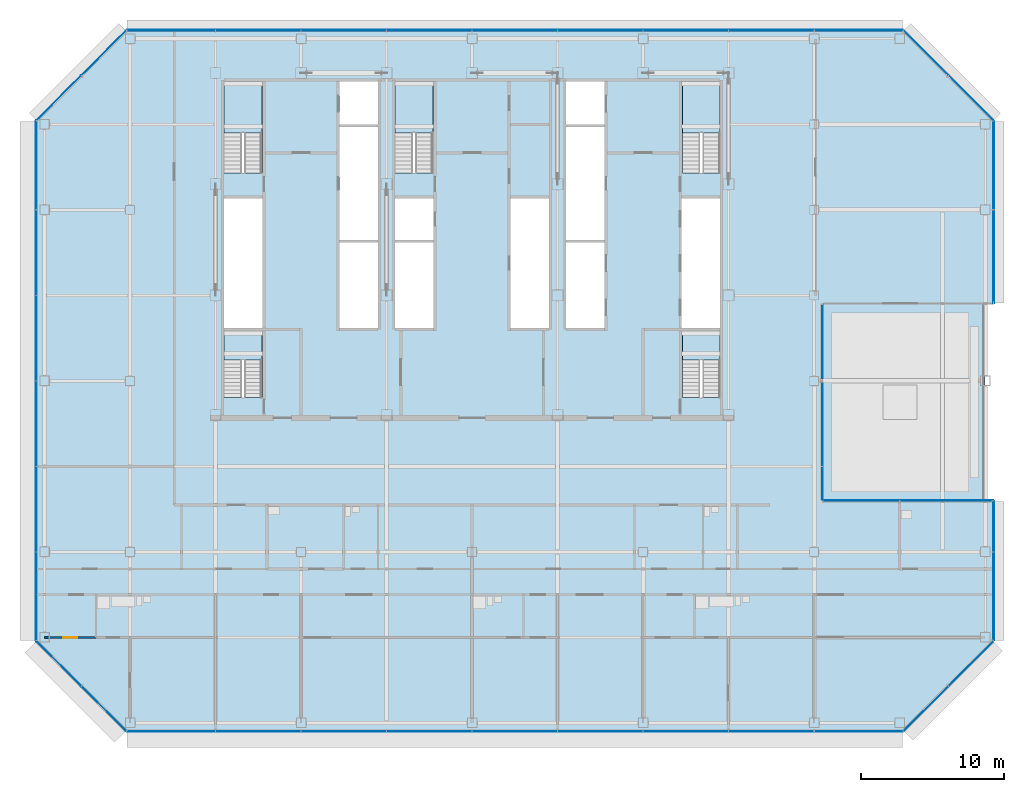
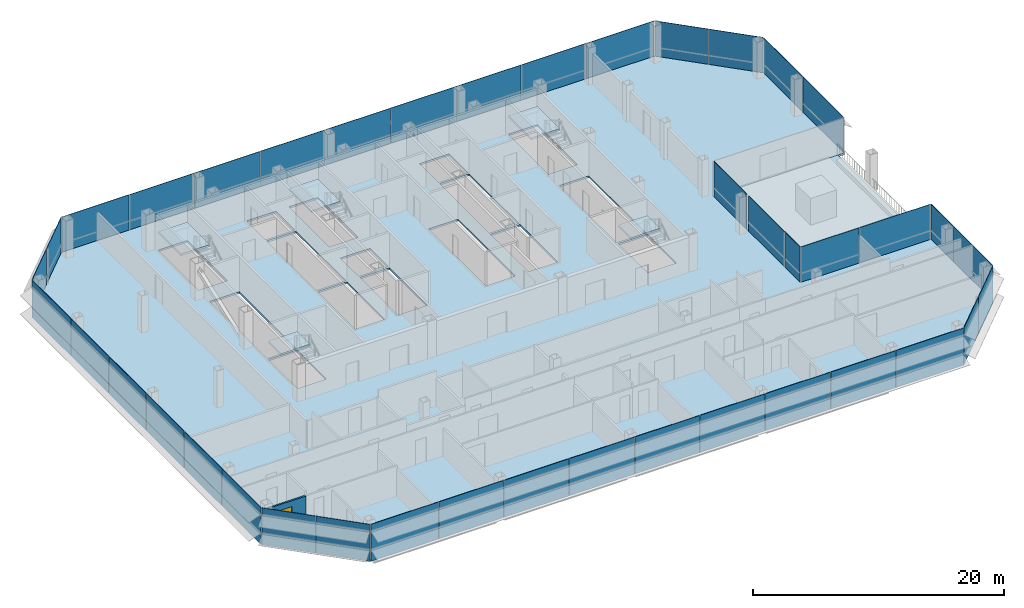
# One storey, part 18 of 27: 41 plates, 7 slabs, 1 door, 1 wall, 1 opening, 16 elements without a shape of their own.
"""IFC4 building model written with IfcOpenShell, lengths in metres."""

from ifc_helpers import new_model, si_unit, direction, frame, frame_2d, origin, origin_2d, place, context, subcontext, project, spatial, polyline, rectangle, outline, extrude, material, layer, layer_set, type_object, element, fill, aggregate, save


model = new_model("IFC4")

# Units and contexts
model_context = context("Model", 3, precision=1e-05, world=origin(), true_north=direction((0.0, 1.0)))
body_context = subcontext(model_context, "Body", "Model", "MODEL_VIEW")
ifc_project = project(units=[si_unit("LENGTHUNIT", "METRE"), si_unit("AREAUNIT", "SQUARE_METRE"), si_unit("VOLUMEUNIT", "CUBIC_METRE"), si_unit("PLANEANGLEUNIT", "RADIAN"), si_unit("MASSUNIT", "GRAM", prefix="KILO")], contexts=[model_context])

# Site, building, storey
site_placement = place(None, origin())
site = spatial("IfcSite", under=ifc_project, at=site_placement, CompositionType="ELEMENT")
building_placement = place(site_placement, origin())
building = spatial("IfcBuilding", under=site, at=building_placement, Name="Sorahane Residences", CompositionType="ELEMENT")
storey_placement = place(building_placement, frame((0.0, 0.0, 167.199951171875)))
storey = spatial("IfcBuildingStorey", under=building, at=storey_placement, Name="L38", CompositionType="ELEMENT", Elevation=167.199951171875)

# Slab
ifc_material_1 = material(Name="Concrete C35", Category="concrete")
ifc_layer_1 = layer(ifc_material_1, 0.179931640625)
ifc_layer_set_1 = layer_set([ifc_layer_1], Name="Composite floor slab 180 mm Concrete C35")
slab_type_1 = type_object("IfcSlabType", Name="Composite floor slab 180 mm Concrete C35", PredefinedType="FLOOR", material=ifc_layer_set_1)
slab_1_placement = place(storey_placement, frame((0.0, 0.0, -0.179931640625)))
element("IfcSlab", 1, at=slab_1_placement, inside=storey, type_object=slab_type_1, Name="Slab L38", PredefinedType="FLOOR", context=body_context, shape_type="SweptSolid", body=[
    extrude(outline(polyline([(60.60009765625, 5.75146484375), (54.24853515625, -0.60009765625), (-0.24853515625, -0.60009765625), (-6.60009765625, 5.75146484375), (-6.60009765625, 42.24853515625), (-0.24853515625, 48.60009765625), (54.24853515625, 48.60009765625), (60.60009765625, 42.24853515625), (60.60009765625, 29.39990234375), (48.60009765625, 29.39990234375), (48.60009765625, 15.60009765625), (60.60009765625, 15.60009765625), (60.60009765625, 5.75146484375)]), holes=[polyline([(18.60009765625, 27.699951171875), (21.300048828125, 27.699951171875), (21.300048828125, 33.699951171875), (18.60009765625, 33.699951171875), (18.60009765625, 27.699951171875)]), polyline([(38.699951171875, 27.699951171875), (41.39990234375, 27.699951171875), (41.39990234375, 36.800048828125), (38.699951171875, 36.800048828125), (38.699951171875, 27.699951171875)]), polyline([(30.60009765625, 27.699951171875), (33.300048828125, 27.699951171875), (33.300048828125, 33.699951171875), (30.60009765625, 33.699951171875), (30.60009765625, 27.699951171875)]), polyline([(30.60009765625, 42.0), (33.300048828125, 42.0), (33.300048828125, 45.0), (30.60009765625, 45.0), (30.60009765625, 42.0)]), polyline([(14.699951171875, 27.699951171875), (17.39990234375, 27.699951171875), (17.39990234375, 33.699951171875), (14.699951171875, 33.699951171875), (14.699951171875, 27.699951171875)]), polyline([(14.699951171875, 42.0), (17.39990234375, 42.0), (17.39990234375, 45.0), (14.699951171875, 45.0), (14.699951171875, 42.0)]), polyline([(6.60009765625, 27.699951171875), (9.300048828125, 27.699951171875), (9.300048828125, 36.800048828125), (6.60009765625, 36.800048828125), (6.60009765625, 27.699951171875)]), polyline([(9.25, 38.60009765625), (9.25, 45.0), (6.60009765625, 45.0), (6.60009765625, 38.60009765625), (9.25, 38.60009765625)]), polyline([(41.39990234375, 38.60009765625), (41.39990234375, 45.0), (38.75, 45.0), (38.75, 38.60009765625), (41.39990234375, 38.60009765625)]), polyline([(21.25, 38.60009765625), (21.25, 45.0), (18.60009765625, 45.0), (18.60009765625, 38.60009765625), (21.25, 38.60009765625)]), polyline([(9.25, 22.85009765625), (9.25, 27.5), (6.60009765625, 27.5), (6.60009765625, 22.85009765625), (9.25, 22.85009765625)]), polyline([(41.39990234375, 22.85009765625), (41.39990234375, 27.5), (38.75, 27.5), (38.75, 22.85009765625), (41.39990234375, 22.85009765625)]), polyline([(14.699951171875, 33.89990234375), (17.39990234375, 33.89990234375), (17.39990234375, 41.800048828125), (14.699951171875, 41.800048828125), (14.699951171875, 33.89990234375)]), polyline([(30.60009765625, 33.89990234375), (33.300048828125, 33.89990234375), (33.300048828125, 41.800048828125), (30.60009765625, 41.800048828125), (30.60009765625, 33.89990234375)]), polyline([(18.60009765625, 33.89990234375), (21.300048828125, 33.89990234375), (21.300048828125, 36.800048828125), (18.60009765625, 36.800048828125), (18.60009765625, 33.89990234375)]), polyline([(26.699951171875, 27.699951171875), (29.39990234375, 27.699951171875), (29.39990234375, 36.800048828125), (26.699951171875, 36.800048828125), (26.699951171875, 27.699951171875)])]), origin(), (0.0, 0.0, 1.0), 0.179931640625),
])

# Curtain wall, plates
ifc_material_2 = material(Name="Dark low-e glass and black anodised aluminium", Category="aluminium")
curtain_wall_type_1 = type_object("IfcCurtainWallType", Name="Curtain wall CW-1 Typical unitised wall", PredefinedType="NOTDEFINED", material=ifc_material_2)
curtain_wall_1_placement = place(storey_placement, origin())
curtain_wall_1 = element("IfcCurtainWall", 2, at=curtain_wall_1_placement, inside=storey, type_object=curtain_wall_type_1, Name="CW-1 curtain wall L38 E1", PredefinedType="NOTDEFINED")
ifc_material_3 = material(Name="Dark low-e glass with black ceramic frit", Category="glass")
ifc_layer_2 = layer(ifc_material_3, 0.0400390625)
ifc_layer_set_2 = layer_set([ifc_layer_2], Name="Curtain wall glass panel dark low-e with black frit spandrel band")
plate_type = type_object("IfcPlateType", Name="Curtain wall glass panel dark low-e with black frit spandrel band", PredefinedType="CURTAIN_PANEL", material=ifc_layer_set_2)
plate_1_placement = place(storey_placement, frame((60.60009765625, 8.88818359375, -0.179931640625), z_axis=(0.0, 0.0, 1.0), x_axis=(0.0, 1.0, 0.0)))
plate_1 = element("IfcPlate", 3, at=plate_1_placement, type_object=plate_type, Name="CW-1 glass panel L38 E1.1", PredefinedType="CURTAIN_PANEL", context=body_context, shape_type="SweptSolid", body=[
    extrude(rectangle(XDim=6.173583984375, YDim=0.0400390625, at=origin_2d()), origin(), (0.0, 0.0, 1.0), 3.60009765625),
])
plate_2_placement = place(storey_placement, frame((60.60009765625, 13.78759765625, -0.179931640625), z_axis=(0.0, 0.0, 1.0), x_axis=(0.0, 1.0, 0.0)))
plate_2 = element("IfcPlate", 4, at=plate_2_placement, type_object=plate_type, Name="CW-1 glass panel L38 E1.2", PredefinedType="CURTAIN_PANEL", context=body_context, shape_type="SweptSolid", body=[
    extrude(rectangle(XDim=3.52490234375, YDim=0.0400390625, at=origin_2d()), origin(), (0.0, 0.0, 1.0), 3.60009765625),
])
aggregate(curtain_wall_1, [plate_1, plate_2])

curtain_wall_2_placement = place(storey_placement, origin())
curtain_wall_2 = element("IfcCurtainWall", 5, at=curtain_wall_2_placement, inside=storey, type_object=curtain_wall_type_1, Name="CW-1 curtain wall L38 N1", PredefinedType="NOTDEFINED")
plate_3_placement = place(storey_placement, frame((57.28759765625, 15.60009765625, -0.179931640625), z_axis=(0.0, 0.0, 1.0), x_axis=(-1.0, 0.0, 0.0)))
plate_3 = element("IfcPlate", 6, at=plate_3_placement, type_object=plate_type, Name="CW-1 glass panel L38 N1.1", PredefinedType="CURTAIN_PANEL", context=body_context, shape_type="SweptSolid", body=[
    extrude(rectangle(XDim=6.52490234375, YDim=0.0400390625, at=origin_2d()), origin(), (0.0, 0.0, 1.0), 3.60009765625),
])
plate_4_placement = place(storey_placement, frame((51.3125, 15.60009765625, -0.179931640625), z_axis=(0.0, 0.0, 1.0), x_axis=(-1.0, 0.0, 0.0)))
plate_4 = element("IfcPlate", 7, at=plate_4_placement, type_object=plate_type, Name="CW-1 glass panel L38 N1.2", PredefinedType="CURTAIN_PANEL", context=body_context, shape_type="SweptSolid", body=[
    extrude(rectangle(XDim=5.324951171875, YDim=0.0400390625, at=origin_2d()), origin(), (0.0, 0.0, 1.0), 3.60009765625),
])
aggregate(curtain_wall_2, [plate_3, plate_4])

curtain_wall_3_placement = place(storey_placement, origin())
curtain_wall_3 = element("IfcCurtainWall", 8, at=curtain_wall_3_placement, inside=storey, type_object=curtain_wall_type_1, Name="CW-1 curtain wall L38 E2", PredefinedType="NOTDEFINED")
plate_5_placement = place(storey_placement, frame((48.60009765625, 16.8125, -0.179931640625), z_axis=(0.0, 0.0, 1.0), x_axis=(0.0, 1.0, 0.0)))
plate_5 = element("IfcPlate", 9, at=plate_5_placement, type_object=plate_type, Name="CW-1 glass panel L38 E2.1", PredefinedType="CURTAIN_PANEL", context=body_context, shape_type="SweptSolid", body=[
    extrude(rectangle(XDim=2.324951171875, YDim=0.0400390625, at=origin_2d()), origin(), (0.0, 0.0, 1.0), 3.60009765625),
])
plate_6_placement = place(storey_placement, frame((48.60009765625, 20.91259765625, -0.179931640625), z_axis=(0.0, 0.0, 1.0), x_axis=(0.0, 1.0, 0.0)))
plate_6 = element("IfcPlate", 10, at=plate_6_placement, type_object=plate_type, Name="CW-1 glass panel L38 E2.2", PredefinedType="CURTAIN_PANEL", context=body_context, shape_type="SweptSolid", body=[
    extrude(rectangle(XDim=5.77490234375, YDim=0.0400390625, at=origin_2d()), origin(), (0.0, 0.0, 1.0), 3.60009765625),
])
plate_7_placement = place(storey_placement, frame((48.60009765625, 26.77490234375, -0.179931640625), z_axis=(0.0, 0.0, 1.0), x_axis=(0.0, 1.0, 0.0)))
plate_7 = element("IfcPlate", 11, at=plate_7_placement, type_object=plate_type, Name="CW-1 glass panel L38 E2.3", PredefinedType="CURTAIN_PANEL", context=body_context, shape_type="SweptSolid", body=[
    extrude(rectangle(XDim=5.14990234375, YDim=0.0400390625, at=origin_2d()), origin(), (0.0, 0.0, 1.0), 3.60009765625),
])
aggregate(curtain_wall_3, [plate_5, plate_6, plate_7])

curtain_wall_4_placement = place(storey_placement, origin())
curtain_wall_4 = element("IfcCurtainWall", 12, at=curtain_wall_4_placement, inside=storey, type_object=curtain_wall_type_1, Name="CW-1 curtain wall L38 E3", PredefinedType="NOTDEFINED")
plate_8_placement = place(storey_placement, frame((60.60009765625, 32.71240234375, -0.179931640625), z_axis=(0.0, 0.0, 1.0), x_axis=(0.0, 1.0, 0.0)))
plate_8 = element("IfcPlate", 13, at=plate_8_placement, type_object=plate_type, Name="CW-1 glass panel L38 E3.1", PredefinedType="CURTAIN_PANEL", context=body_context, shape_type="SweptSolid", body=[
    extrude(rectangle(XDim=6.52490234375, YDim=0.0400390625, at=origin_2d()), origin(), (0.0, 0.0, 1.0), 3.60009765625),
])
plate_9_placement = place(storey_placement, frame((60.60009765625, 39.11181640625, -0.179931640625), z_axis=(0.0, 0.0, 1.0), x_axis=(0.0, 1.0, 0.0)))
plate_9 = element("IfcPlate", 14, at=plate_9_placement, type_object=plate_type, Name="CW-1 glass panel L38 E3.2", PredefinedType="CURTAIN_PANEL", context=body_context, shape_type="SweptSolid", body=[
    extrude(rectangle(XDim=6.173583984375, YDim=0.0400390625, at=origin_2d()), origin(), (0.0, 0.0, 1.0), 3.60009765625),
])
aggregate(curtain_wall_4, [plate_8, plate_9])

ifc_material_4 = material(Name="Dark low-e glass and black anodised aluminium", Category="aluminium")
curtain_wall_type_2 = type_object("IfcCurtainWallType", Name="Curtain wall CW-2 Chamfer unitised wall", PredefinedType="NOTDEFINED", material=ifc_material_4)
curtain_wall_5_placement = place(storey_placement, origin())
curtain_wall_5 = element("IfcCurtainWall", 15, at=curtain_wall_5_placement, inside=storey, type_object=curtain_wall_type_2, Name="CW-2 curtain wall L38 NE1", PredefinedType="NOTDEFINED")
plate_10_placement = place(storey_placement, frame((59.003173828125, 43.84521484375, -0.179931640625), z_axis=(0.0, 0.0, 1.0), x_axis=(-0.707106781187, 0.707106781187, 0.0)))
plate_10 = element("IfcPlate", 16, at=plate_10_placement, type_object=plate_type, Name="CW-2 glass panel L38 NE1.1", PredefinedType="CURTAIN_PANEL", context=body_context, shape_type="SweptSolid", body=[
    extrude(rectangle(XDim=4.416259765625, YDim=0.0400390625, at=origin_2d()), origin(), (0.0, 0.0, 1.0), 3.60009765625),
])
plate_11_placement = place(storey_placement, frame((55.84521484375, 47.003173828125, -0.179931640625), z_axis=(0.0, 0.0, 1.0), x_axis=(-0.707106781187, 0.707106781187, 0.0)))
plate_11 = element("IfcPlate", 17, at=plate_11_placement, type_object=plate_type, Name="CW-2 glass panel L38 NE1.2", PredefinedType="CURTAIN_PANEL", context=body_context, shape_type="SweptSolid", body=[
    extrude(rectangle(XDim=4.416259765625, YDim=0.0400390625, at=origin_2d()), origin(), (0.0, 0.0, 1.0), 3.60009765625),
])
aggregate(curtain_wall_5, [plate_10, plate_11])

curtain_wall_6_placement = place(storey_placement, origin())
curtain_wall_6 = element("IfcCurtainWall", 18, at=curtain_wall_6_placement, inside=storey, type_object=curtain_wall_type_1, Name="CW-1 curtain wall L38 N2", PredefinedType="NOTDEFINED")
plate_12_placement = place(storey_placement, frame((51.11181640625, 48.60009765625, -0.179931640625), z_axis=(0.0, 0.0, 1.0), x_axis=(-1.0, 0.0, 0.0)))
plate_12 = element("IfcPlate", 19, at=plate_12_placement, type_object=plate_type, Name="CW-1 glass panel L38 N2.1", PredefinedType="CURTAIN_PANEL", context=body_context, shape_type="SweptSolid", body=[
    extrude(rectangle(XDim=6.173583984375, YDim=0.0400390625, at=origin_2d()), origin(), (0.0, 0.0, 1.0), 3.60009765625),
])
plate_13_placement = place(storey_placement, frame((45.0, 48.60009765625, -0.179931640625), z_axis=(0.0, 0.0, 1.0), x_axis=(-1.0, 0.0, 0.0)))
plate_13 = element("IfcPlate", 20, at=plate_13_placement, type_object=plate_type, Name="CW-1 glass panel L38 N2.2", PredefinedType="CURTAIN_PANEL", context=body_context, shape_type="SweptSolid", body=[
    extrude(rectangle(XDim=5.949951171875, YDim=0.0400390625, at=origin_2d()), origin(), (0.0, 0.0, 1.0), 3.60009765625),
])
plate_14_placement = place(storey_placement, frame((39.0, 48.60009765625, -0.179931640625), z_axis=(0.0, 0.0, 1.0), x_axis=(-1.0, 0.0, 0.0)))
plate_14 = element("IfcPlate", 21, at=plate_14_placement, type_object=plate_type, Name="CW-1 glass panel L38 N2.3", PredefinedType="CURTAIN_PANEL", context=body_context, shape_type="SweptSolid", body=[
    extrude(rectangle(XDim=5.949951171875, YDim=0.0400390625, at=origin_2d()), origin(), (0.0, 0.0, 1.0), 3.60009765625),
])
plate_15_placement = place(storey_placement, frame((33.0, 48.60009765625, -0.179931640625), z_axis=(0.0, 0.0, 1.0), x_axis=(-1.0, 0.0, 0.0)))
plate_15 = element("IfcPlate", 22, at=plate_15_placement, type_object=plate_type, Name="CW-1 glass panel L38 N2.4", PredefinedType="CURTAIN_PANEL", context=body_context, shape_type="SweptSolid", body=[
    extrude(rectangle(XDim=5.949951171875, YDim=0.0400390625, at=origin_2d()), origin(), (0.0, 0.0, 1.0), 3.60009765625),
])
plate_16_placement = place(storey_placement, frame((27.0, 48.60009765625, -0.179931640625), z_axis=(0.0, 0.0, 1.0), x_axis=(-1.0, 0.0, 0.0)))
plate_16 = element("IfcPlate", 23, at=plate_16_placement, type_object=plate_type, Name="CW-1 glass panel L38 N2.5", PredefinedType="CURTAIN_PANEL", context=body_context, shape_type="SweptSolid", body=[
    extrude(rectangle(XDim=5.949951171875, YDim=0.0400390625, at=origin_2d()), origin(), (0.0, 0.0, 1.0), 3.60009765625),
])
plate_17_placement = place(storey_placement, frame((21.0, 48.60009765625, -0.179931640625), z_axis=(0.0, 0.0, 1.0), x_axis=(-1.0, 0.0, 0.0)))
plate_17 = element("IfcPlate", 24, at=plate_17_placement, type_object=plate_type, Name="CW-1 glass panel L38 N2.6", PredefinedType="CURTAIN_PANEL", context=body_context, shape_type="SweptSolid", body=[
    extrude(rectangle(XDim=5.949951171875, YDim=0.0400390625, at=origin_2d()), origin(), (0.0, 0.0, 1.0), 3.60009765625),
])
plate_18_placement = place(storey_placement, frame((15.0, 48.60009765625, -0.179931640625), z_axis=(0.0, 0.0, 1.0), x_axis=(-1.0, 0.0, 0.0)))
plate_18 = element("IfcPlate", 25, at=plate_18_placement, type_object=plate_type, Name="CW-1 glass panel L38 N2.7", PredefinedType="CURTAIN_PANEL", context=body_context, shape_type="SweptSolid", body=[
    extrude(rectangle(XDim=5.949951171875, YDim=0.0400390625, at=origin_2d()), origin(), (0.0, 0.0, 1.0), 3.60009765625),
])
plate_19_placement = place(storey_placement, frame((9.0, 48.60009765625, -0.179931640625), z_axis=(0.0, 0.0, 1.0), x_axis=(-1.0, 0.0, 0.0)))
plate_19 = element("IfcPlate", 26, at=plate_19_placement, type_object=plate_type, Name="CW-1 glass panel L38 N2.8", PredefinedType="CURTAIN_PANEL", context=body_context, shape_type="SweptSolid", body=[
    extrude(rectangle(XDim=5.949951171875, YDim=0.0400390625, at=origin_2d()), origin(), (0.0, 0.0, 1.0), 3.60009765625),
])
plate_20_placement = place(storey_placement, frame((2.88818359375, 48.60009765625, -0.179931640625), z_axis=(0.0, 0.0, 1.0), x_axis=(-1.0, 0.0, 0.0)))
plate_20 = element("IfcPlate", 27, at=plate_20_placement, type_object=plate_type, Name="CW-1 glass panel L38 N2.9", PredefinedType="CURTAIN_PANEL", context=body_context, shape_type="SweptSolid", body=[
    extrude(rectangle(XDim=6.173583984375, YDim=0.0400390625, at=origin_2d()), origin(), (0.0, 0.0, 1.0), 3.60009765625),
])
aggregate(curtain_wall_6, [plate_12, plate_13, plate_14, plate_15, plate_16, plate_17, plate_18, plate_19, plate_20])

curtain_wall_7_placement = place(storey_placement, origin())
curtain_wall_7 = element("IfcCurtainWall", 28, at=curtain_wall_7_placement, inside=storey, type_object=curtain_wall_type_2, Name="CW-2 curtain wall L38 NW1", PredefinedType="NOTDEFINED")
plate_21_placement = place(storey_placement, frame((-1.84521484375, 47.003173828125, -0.179931640625), z_axis=(0.0, 0.0, 1.0), x_axis=(-0.707106781187, -0.707106781187, 0.0)))
plate_21 = element("IfcPlate", 29, at=plate_21_placement, type_object=plate_type, Name="CW-2 glass panel L38 NW1.1", PredefinedType="CURTAIN_PANEL", context=body_context, shape_type="SweptSolid", body=[
    extrude(rectangle(XDim=4.416259765625, YDim=0.0400390625, at=origin_2d()), origin(), (0.0, 0.0, 1.0), 3.60009765625),
])
plate_22_placement = place(storey_placement, frame((-5.003173828125, 43.84521484375, -0.179931640625), z_axis=(0.0, 0.0, 1.0), x_axis=(-0.707106781187, -0.707106781187, 0.0)))
plate_22 = element("IfcPlate", 30, at=plate_22_placement, type_object=plate_type, Name="CW-2 glass panel L38 NW1.2", PredefinedType="CURTAIN_PANEL", context=body_context, shape_type="SweptSolid", body=[
    extrude(rectangle(XDim=4.416259765625, YDim=0.0400390625, at=origin_2d()), origin(), (0.0, 0.0, 1.0), 3.60009765625),
])
aggregate(curtain_wall_7, [plate_21, plate_22])

curtain_wall_8_placement = place(storey_placement, origin())
curtain_wall_8 = element("IfcCurtainWall", 31, at=curtain_wall_8_placement, inside=storey, type_object=curtain_wall_type_1, Name="CW-1 curtain wall L38 W1", PredefinedType="NOTDEFINED")
plate_23_placement = place(storey_placement, frame((-6.60009765625, 39.11181640625, -0.179931640625), z_axis=(0.0, 0.0, 1.0), x_axis=(0.0, -1.0, 0.0)))
plate_23 = element("IfcPlate", 32, at=plate_23_placement, type_object=plate_type, Name="CW-1 glass panel L38 W1.1", PredefinedType="CURTAIN_PANEL", context=body_context, shape_type="SweptSolid", body=[
    extrude(rectangle(XDim=6.173583984375, YDim=0.0400390625, at=origin_2d()), origin(), (0.0, 0.0, 1.0), 3.60009765625),
])
plate_24_placement = place(storey_placement, frame((-6.60009765625, 33.0, -0.179931640625), z_axis=(0.0, 0.0, 1.0), x_axis=(0.0, -1.0, 0.0)))
plate_24 = element("IfcPlate", 33, at=plate_24_placement, type_object=plate_type, Name="CW-1 glass panel L38 W1.2", PredefinedType="CURTAIN_PANEL", context=body_context, shape_type="SweptSolid", body=[
    extrude(rectangle(XDim=5.949951171875, YDim=0.0400390625, at=origin_2d()), origin(), (0.0, 0.0, 1.0), 3.60009765625),
])
plate_25_placement = place(storey_placement, frame((-6.60009765625, 27.0, -0.179931640625), z_axis=(0.0, 0.0, 1.0), x_axis=(0.0, -1.0, 0.0)))
plate_25 = element("IfcPlate", 34, at=plate_25_placement, type_object=plate_type, Name="CW-1 glass panel L38 W1.3", PredefinedType="CURTAIN_PANEL", context=body_context, shape_type="SweptSolid", body=[
    extrude(rectangle(XDim=5.949951171875, YDim=0.0400390625, at=origin_2d()), origin(), (0.0, 0.0, 1.0), 3.60009765625),
])
plate_26_placement = place(storey_placement, frame((-6.60009765625, 21.0, -0.179931640625), z_axis=(0.0, 0.0, 1.0), x_axis=(0.0, -1.0, 0.0)))
plate_26 = element("IfcPlate", 35, at=plate_26_placement, type_object=plate_type, Name="CW-1 glass panel L38 W1.4", PredefinedType="CURTAIN_PANEL", context=body_context, shape_type="SweptSolid", body=[
    extrude(rectangle(XDim=5.949951171875, YDim=0.0400390625, at=origin_2d()), origin(), (0.0, 0.0, 1.0), 3.60009765625),
])
plate_27_placement = place(storey_placement, frame((-6.60009765625, 15.0, -0.179931640625), z_axis=(0.0, 0.0, 1.0), x_axis=(0.0, -1.0, 0.0)))
plate_27 = element("IfcPlate", 36, at=plate_27_placement, type_object=plate_type, Name="CW-1 glass panel L38 W1.5", PredefinedType="CURTAIN_PANEL", context=body_context, shape_type="SweptSolid", body=[
    extrude(rectangle(XDim=5.949951171875, YDim=0.0400390625, at=origin_2d()), origin(), (0.0, 0.0, 1.0), 3.60009765625),
])
plate_28_placement = place(storey_placement, frame((-6.60009765625, 8.88818359375, -0.179931640625), z_axis=(0.0, 0.0, 1.0), x_axis=(0.0, -1.0, 0.0)))
plate_28 = element("IfcPlate", 37, at=plate_28_placement, type_object=plate_type, Name="CW-1 glass panel L38 W1.6", PredefinedType="CURTAIN_PANEL", context=body_context, shape_type="SweptSolid", body=[
    extrude(rectangle(XDim=6.173583984375, YDim=0.0400390625, at=origin_2d()), origin(), (0.0, 0.0, 1.0), 3.60009765625),
])
aggregate(curtain_wall_8, [plate_23, plate_24, plate_25, plate_26, plate_27, plate_28])

curtain_wall_9_placement = place(storey_placement, origin())
curtain_wall_9 = element("IfcCurtainWall", 38, at=curtain_wall_9_placement, inside=storey, type_object=curtain_wall_type_2, Name="CW-2 curtain wall L38 SW1", PredefinedType="NOTDEFINED")
plate_29_placement = place(storey_placement, frame((-5.003173828125, 4.15478515625, -0.179931640625), z_axis=(0.0, 0.0, 1.0), x_axis=(0.707106781187, -0.707106781187, 0.0)))
plate_29 = element("IfcPlate", 39, at=plate_29_placement, type_object=plate_type, Name="CW-2 glass panel L38 SW1.1", PredefinedType="CURTAIN_PANEL", context=body_context, shape_type="SweptSolid", body=[
    extrude(rectangle(XDim=4.416259765625, YDim=0.0400390625, at=origin_2d()), origin(), (0.0, 0.0, 1.0), 3.60009765625),
])
plate_30_placement = place(storey_placement, frame((-1.84521484375, 0.996826171875, -0.179931640625), z_axis=(0.0, 0.0, 1.0), x_axis=(0.707106781187, -0.707106781187, 0.0)))
plate_30 = element("IfcPlate", 40, at=plate_30_placement, type_object=plate_type, Name="CW-2 glass panel L38 SW1.2", PredefinedType="CURTAIN_PANEL", context=body_context, shape_type="SweptSolid", body=[
    extrude(rectangle(XDim=4.416259765625, YDim=0.0400390625, at=origin_2d()), origin(), (0.0, 0.0, 1.0), 3.60009765625),
])
aggregate(curtain_wall_9, [plate_29, plate_30])

curtain_wall_10_placement = place(storey_placement, origin())
curtain_wall_10 = element("IfcCurtainWall", 41, at=curtain_wall_10_placement, inside=storey, type_object=curtain_wall_type_1, Name="CW-1 curtain wall L38 S2", PredefinedType="NOTDEFINED")
plate_31_placement = place(storey_placement, frame((2.88818359375, -0.60009765625, -0.179931640625), z_axis=(0.0, 0.0, 1.0), x_axis=(1.0, 0.0, 0.0)))
plate_31 = element("IfcPlate", 42, at=plate_31_placement, type_object=plate_type, Name="CW-1 glass panel L38 S2.1", PredefinedType="CURTAIN_PANEL", context=body_context, shape_type="SweptSolid", body=[
    extrude(rectangle(XDim=6.173583984375, YDim=0.0400390625, at=origin_2d()), origin(), (0.0, 0.0, 1.0), 3.60009765625),
])
plate_32_placement = place(storey_placement, frame((9.0, -0.60009765625, -0.179931640625), z_axis=(0.0, 0.0, 1.0), x_axis=(1.0, 0.0, 0.0)))
plate_32 = element("IfcPlate", 43, at=plate_32_placement, type_object=plate_type, Name="CW-1 glass panel L38 S2.2", PredefinedType="CURTAIN_PANEL", context=body_context, shape_type="SweptSolid", body=[
    extrude(rectangle(XDim=5.949951171875, YDim=0.0400390625, at=origin_2d()), origin(), (0.0, 0.0, 1.0), 3.60009765625),
])
plate_33_placement = place(storey_placement, frame((15.0, -0.60009765625, -0.179931640625), z_axis=(0.0, 0.0, 1.0), x_axis=(1.0, 0.0, 0.0)))
plate_33 = element("IfcPlate", 44, at=plate_33_placement, type_object=plate_type, Name="CW-1 glass panel L38 S2.3", PredefinedType="CURTAIN_PANEL", context=body_context, shape_type="SweptSolid", body=[
    extrude(rectangle(XDim=5.949951171875, YDim=0.0400390625, at=origin_2d()), origin(), (0.0, 0.0, 1.0), 3.60009765625),
])
plate_34_placement = place(storey_placement, frame((21.0, -0.60009765625, -0.179931640625), z_axis=(0.0, 0.0, 1.0), x_axis=(1.0, 0.0, 0.0)))
plate_34 = element("IfcPlate", 45, at=plate_34_placement, type_object=plate_type, Name="CW-1 glass panel L38 S2.4", PredefinedType="CURTAIN_PANEL", context=body_context, shape_type="SweptSolid", body=[
    extrude(rectangle(XDim=5.949951171875, YDim=0.0400390625, at=origin_2d()), origin(), (0.0, 0.0, 1.0), 3.60009765625),
])
plate_35_placement = place(storey_placement, frame((27.0, -0.60009765625, -0.179931640625), z_axis=(0.0, 0.0, 1.0), x_axis=(1.0, 0.0, 0.0)))
plate_35 = element("IfcPlate", 46, at=plate_35_placement, type_object=plate_type, Name="CW-1 glass panel L38 S2.5", PredefinedType="CURTAIN_PANEL", context=body_context, shape_type="SweptSolid", body=[
    extrude(rectangle(XDim=5.949951171875, YDim=0.0400390625, at=origin_2d()), origin(), (0.0, 0.0, 1.0), 3.60009765625),
])
plate_36_placement = place(storey_placement, frame((33.0, -0.60009765625, -0.179931640625), z_axis=(0.0, 0.0, 1.0), x_axis=(1.0, 0.0, 0.0)))
plate_36 = element("IfcPlate", 47, at=plate_36_placement, type_object=plate_type, Name="CW-1 glass panel L38 S2.6", PredefinedType="CURTAIN_PANEL", context=body_context, shape_type="SweptSolid", body=[
    extrude(rectangle(XDim=5.949951171875, YDim=0.0400390625, at=origin_2d()), origin(), (0.0, 0.0, 1.0), 3.60009765625),
])
plate_37_placement = place(storey_placement, frame((39.0, -0.60009765625, -0.179931640625), z_axis=(0.0, 0.0, 1.0), x_axis=(1.0, 0.0, 0.0)))
plate_37 = element("IfcPlate", 48, at=plate_37_placement, type_object=plate_type, Name="CW-1 glass panel L38 S2.7", PredefinedType="CURTAIN_PANEL", context=body_context, shape_type="SweptSolid", body=[
    extrude(rectangle(XDim=5.949951171875, YDim=0.0400390625, at=origin_2d()), origin(), (0.0, 0.0, 1.0), 3.60009765625),
])
plate_38_placement = place(storey_placement, frame((45.0, -0.60009765625, -0.179931640625), z_axis=(0.0, 0.0, 1.0), x_axis=(1.0, 0.0, 0.0)))
plate_38 = element("IfcPlate", 49, at=plate_38_placement, type_object=plate_type, Name="CW-1 glass panel L38 S2.8", PredefinedType="CURTAIN_PANEL", context=body_context, shape_type="SweptSolid", body=[
    extrude(rectangle(XDim=5.949951171875, YDim=0.0400390625, at=origin_2d()), origin(), (0.0, 0.0, 1.0), 3.60009765625),
])
plate_39_placement = place(storey_placement, frame((51.11181640625, -0.60009765625, -0.179931640625), z_axis=(0.0, 0.0, 1.0), x_axis=(1.0, 0.0, 0.0)))
plate_39 = element("IfcPlate", 50, at=plate_39_placement, type_object=plate_type, Name="CW-1 glass panel L38 S2.9", PredefinedType="CURTAIN_PANEL", context=body_context, shape_type="SweptSolid", body=[
    extrude(rectangle(XDim=6.173583984375, YDim=0.0400390625, at=origin_2d()), origin(), (0.0, 0.0, 1.0), 3.60009765625),
])
aggregate(curtain_wall_10, [plate_31, plate_32, plate_33, plate_34, plate_35, plate_36, plate_37, plate_38, plate_39])

curtain_wall_11_placement = place(storey_placement, origin())
curtain_wall_11 = element("IfcCurtainWall", 51, at=curtain_wall_11_placement, inside=storey, type_object=curtain_wall_type_2, Name="CW-2 curtain wall L38 SE1", PredefinedType="NOTDEFINED")
plate_40_placement = place(storey_placement, frame((55.84521484375, 0.996826171875, -0.179931640625), z_axis=(0.0, 0.0, 1.0), x_axis=(0.707106781187, 0.707106781187, 0.0)))
plate_40 = element("IfcPlate", 52, at=plate_40_placement, type_object=plate_type, Name="CW-2 glass panel L38 SE1.1", PredefinedType="CURTAIN_PANEL", context=body_context, shape_type="SweptSolid", body=[
    extrude(rectangle(XDim=4.416259765625, YDim=0.0400390625, at=origin_2d()), origin(), (0.0, 0.0, 1.0), 3.60009765625),
])
plate_41_placement = place(storey_placement, frame((59.003173828125, 4.15478515625, -0.179931640625), z_axis=(0.0, 0.0, 1.0), x_axis=(0.707106781187, 0.707106781187, 0.0)))
plate_41 = element("IfcPlate", 53, at=plate_41_placement, type_object=plate_type, Name="CW-2 glass panel L38 SE1.2", PredefinedType="CURTAIN_PANEL", context=body_context, shape_type="SweptSolid", body=[
    extrude(rectangle(XDim=4.416259765625, YDim=0.0400390625, at=origin_2d()), origin(), (0.0, 0.0, 1.0), 3.60009765625),
])
aggregate(curtain_wall_11, [plate_40, plate_41])

# Stair, slab
ifc_material_5 = material(Name="Concrete C40", Category="concrete")
stair_type = type_object("IfcStairType", Name="Dog-leg stair 1250 Concrete C40", PredefinedType="HALF_TURN_STAIR", material=ifc_material_5)
stair_1_placement = place(storey_placement, origin())
stair_1 = element("IfcStair", 54, at=stair_1_placement, inside=storey, type_object=stair_type, Name="L38 Stair S1", PredefinedType="HALF_TURN_STAIR")
ifc_material_6 = material(Name="Concrete C40", Category="concrete")
ifc_layer_3 = layer(ifc_material_6, 0.199951171875)
ifc_layer_set_3 = layer_set([ifc_layer_3], Name="Stair landing 200 Concrete C40")
slab_type_2 = type_object("IfcSlabType", Name="Stair landing 200 Concrete C40", PredefinedType="LANDING", material=ifc_layer_set_3)
slab_2_placement = place(storey_placement, frame((0.0, 0.0, 1.60009765625)))
slab_2 = element("IfcSlab", 55, at=slab_2_placement, type_object=slab_type_2, Name="S1 landing 1", PredefinedType="LANDING", context=body_context, shape_type="SweptSolid", body=[
    extrude(outline(polyline([(9.25, 41.39990234375), (9.25, 45.0), (6.60009765625, 45.0), (6.60009765625, 41.39990234375), (9.25, 41.39990234375)])), origin(), (0.0, 0.0, 1.0), 0.199951171875),
])
aggregate(stair_1, [slab_2])

stair_2_placement = place(storey_placement, origin())
stair_2 = element("IfcStair", 56, at=stair_2_placement, inside=storey, type_object=stair_type, Name="L38 Stair S2", PredefinedType="HALF_TURN_STAIR")
slab_3_placement = place(storey_placement, frame((0.0, 0.0, 1.60009765625)))
slab_3 = element("IfcSlab", 57, at=slab_3_placement, type_object=slab_type_2, Name="S2 landing 1", PredefinedType="LANDING", context=body_context, shape_type="SweptSolid", body=[
    extrude(outline(polyline([(41.39990234375, 41.39990234375), (41.39990234375, 45.0), (38.75, 45.0), (38.75, 41.39990234375), (41.39990234375, 41.39990234375)])), origin(), (0.0, 0.0, 1.0), 0.199951171875),
])
aggregate(stair_2, [slab_3])

stair_3_placement = place(storey_placement, origin())
stair_3 = element("IfcStair", 58, at=stair_3_placement, inside=storey, type_object=stair_type, Name="L38 Stair S3", PredefinedType="HALF_TURN_STAIR")
slab_4_placement = place(storey_placement, frame((0.0, 0.0, 1.60009765625)))
slab_4 = element("IfcSlab", 59, at=slab_4_placement, type_object=slab_type_2, Name="S3 landing 1", PredefinedType="LANDING", context=body_context, shape_type="SweptSolid", body=[
    extrude(outline(polyline([(21.25, 41.39990234375), (21.25, 45.0), (18.60009765625, 45.0), (18.60009765625, 41.39990234375), (21.25, 41.39990234375)])), origin(), (0.0, 0.0, 1.0), 0.199951171875),
])
aggregate(stair_3, [slab_4])

stair_4_placement = place(storey_placement, origin())
stair_4 = element("IfcStair", 60, at=stair_4_placement, inside=storey, type_object=stair_type, Name="L38 Stair S4", PredefinedType="HALF_TURN_STAIR")
slab_5_placement = place(storey_placement, frame((0.0, 0.0, 1.60009765625)))
slab_5 = element("IfcSlab", 61, at=slab_5_placement, type_object=slab_type_2, Name="S4 landing 1", PredefinedType="LANDING", context=body_context, shape_type="SweptSolid", body=[
    extrude(outline(polyline([(9.25, 25.449951171875), (9.25, 27.5), (6.60009765625, 27.5), (6.60009765625, 25.449951171875), (9.25, 25.449951171875)])), origin(), (0.0, 0.0, 1.0), 0.199951171875),
])
aggregate(stair_4, [slab_5])

stair_5_placement = place(storey_placement, origin())
stair_5 = element("IfcStair", 62, at=stair_5_placement, inside=storey, type_object=stair_type, Name="L38 Stair S5", PredefinedType="HALF_TURN_STAIR")
slab_6_placement = place(storey_placement, frame((0.0, 0.0, 1.60009765625)))
slab_6 = element("IfcSlab", 63, at=slab_6_placement, type_object=slab_type_2, Name="S5 landing 1", PredefinedType="LANDING", context=body_context, shape_type="SweptSolid", body=[
    extrude(outline(polyline([(41.39990234375, 25.449951171875), (41.39990234375, 27.5), (38.75, 27.5), (38.75, 25.449951171875), (41.39990234375, 25.449951171875)])), origin(), (0.0, 0.0, 1.0), 0.199951171875),
])
aggregate(stair_5, [slab_6])

# Slab
ifc_material_7 = material(Name="Concrete C35", Category="concrete")
ifc_layer_4 = layer(ifc_material_7, 0.179931640625)
ifc_layer_set_4 = layer_set([ifc_layer_4], Name="Terrace slab Concrete C35 paved")
slab_type_3 = type_object("IfcSlabType", Name="Terrace slab Concrete C35 paved", PredefinedType="FLOOR", material=ifc_layer_set_4)
slab_7_placement = place(storey_placement, frame((0.0, 0.0, -0.179931640625)))
element("IfcSlab", 64, at=slab_7_placement, inside=storey, type_object=slab_type_3, Name="Terrace slab L38.1", PredefinedType="FLOOR", context=body_context, shape_type="SweptSolid", body=[
    extrude(outline(polyline([(60.0, 15.60009765625), (48.60009765625, 15.60009765625), (48.60009765625, 29.39990234375), (60.0, 29.39990234375), (60.0, 15.60009765625)])), origin(), (0.0, 0.0, 1.0), 0.179931640625),
])

# Wall, opening, door
ifc_material_8 = material(Name="Gypsum board partition on steel studs", Category="steel")
ifc_layer_5 = layer(ifc_material_8, 0.14990234375)
ifc_layer_set_5 = layer_set([ifc_layer_5], Name="Partition 150 EI 90")
wall_type = type_object("IfcWallType", Name="Partition 150 EI 90", PredefinedType="PARTITIONING", material=ifc_layer_set_5)
wall_placement = place(storey_placement, frame((-6.0, 6.0, 0.0), z_axis=(0.0, 0.0, 1.0), x_axis=(1.0, 0.0, 0.0)))
wall = element("IfcWall", 65, at=wall_placement, inside=storey, type_object=wall_type, Name="L38 partition", PredefinedType="PARTITIONING", context=body_context, shape_type="SweptSolid", body=[
    extrude(rectangle(XDim=3.60009765625, YDim=0.14990234375, at=frame_2d((1.800048828125, 0.0))), origin(), (0.0, 0.0, 1.0), 2.969970703125),
])
opening_placement = place(wall_placement, frame((1.300048828125, 0.0, 0.0)))
opening = element("IfcOpeningElement", 66, at=opening_placement, cuts=wall, Name="Opening L38-09", PredefinedType="OPENING", context=body_context, shape_type="SweptSolid", body=[
    extrude(rectangle(XDim=1.0, YDim=2.39990234375, at=frame_2d((0.5, 1.199951171875))), frame((0.0, 0.0849609375, 0.0), z_axis=(0.0, -1.0, 0.0), x_axis=(1.0, 0.0, 0.0)), (0.0, 0.0, 1.0), 0.169921875),
])
ifc_material_9 = material(Name="Timber veneered fire door", Category="wood")
door_type = type_object("IfcDoorType", Name="Room door 1000x2400 FD30", OperationType="NOTDEFINED", PredefinedType="DOOR", material=ifc_material_9)
door_placement = place(opening_placement, frame((1.0, 0.0, 0.0), z_axis=(0.0, 0.0, 1.0), x_axis=(-1.0, 0.0, 0.0)))
door = element("IfcDoor", 67, at=door_placement, inside=storey, type_object=door_type, Name="Room door L38-09", OperationType="SINGLE_SWING_RIGHT", OverallHeight=2.39990234375, OverallWidth=1.0, PredefinedType="DOOR", context=body_context, shape_type="SweptSolid", body=[
    extrude(rectangle(XDim=1.0, YDim=2.39990234375, at=frame_2d((0.5, 1.199951171875))), frame((0.0, 0.02490234375, 0.0), z_axis=(0.0, -1.0, 0.0), x_axis=(1.0, 0.0, 0.0)), (0.0, 0.0, 1.0), 0.050048828125),
])
fill(opening, door)

save(model, "model.ifc")
